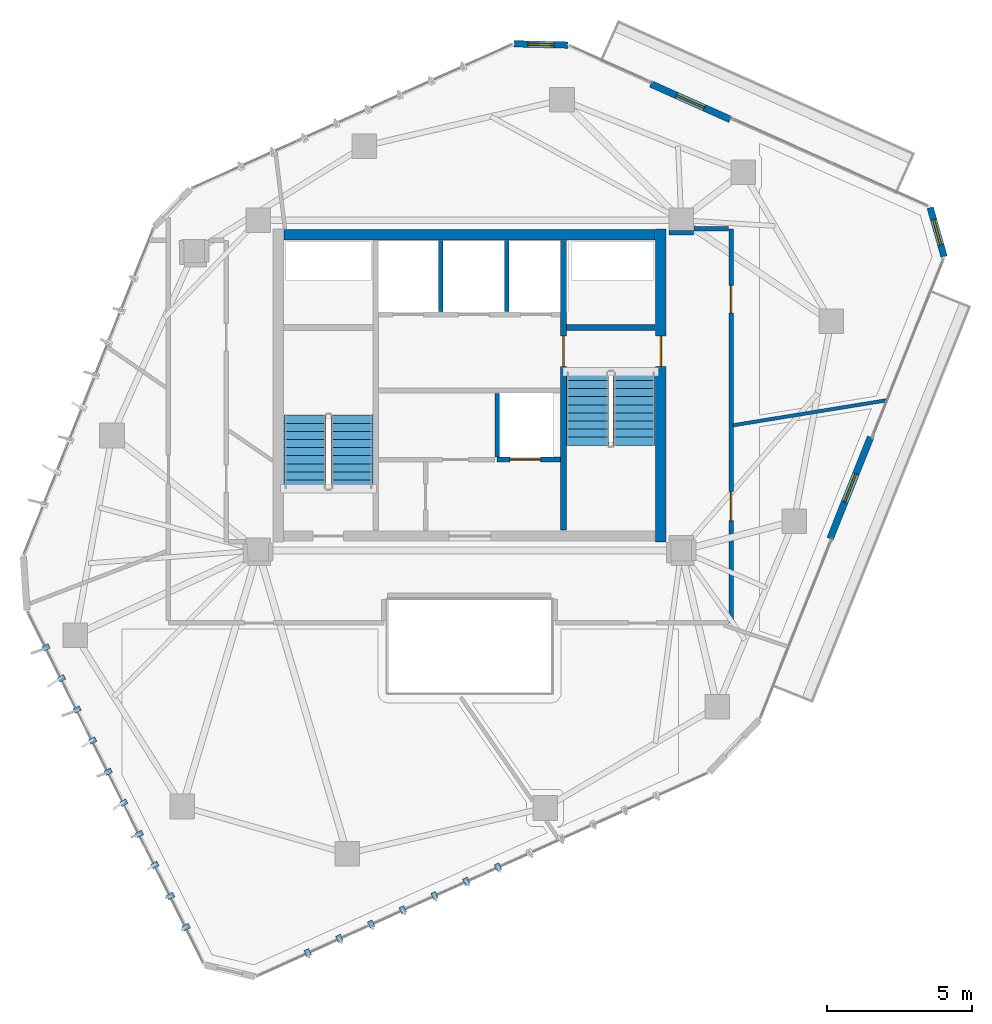
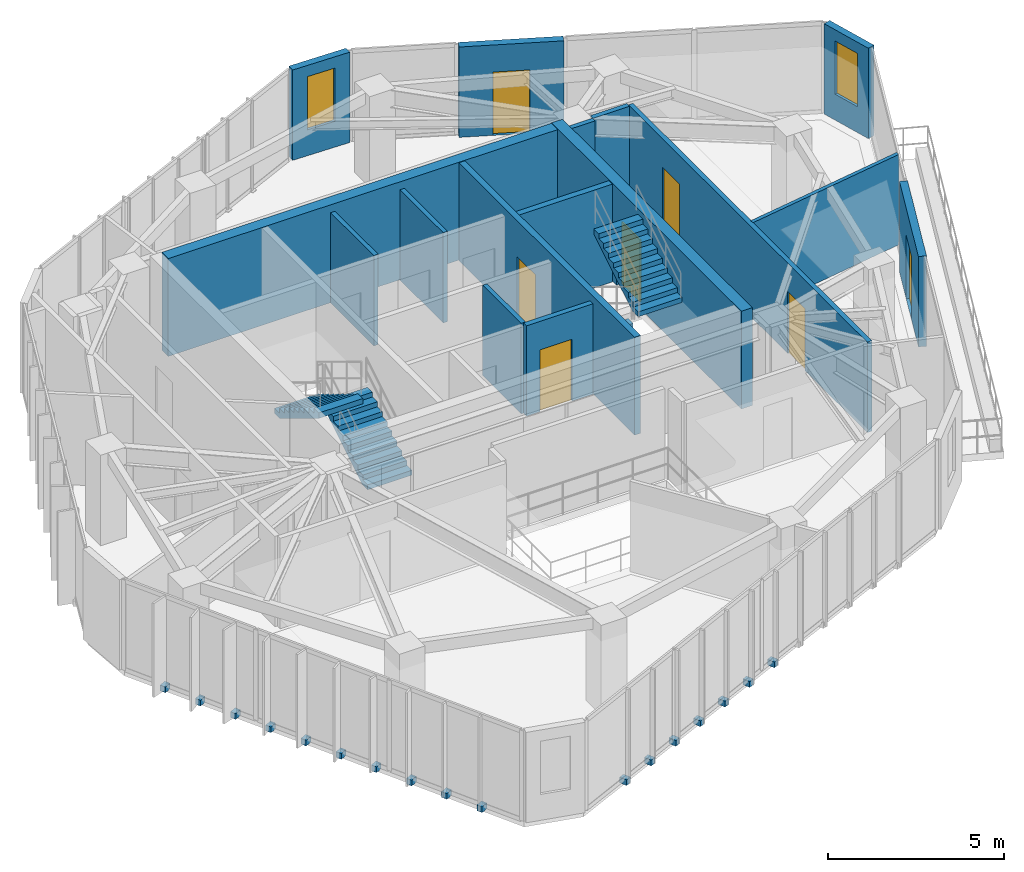
# One storey, part 18 of 21: 17 discrete accessories, 16 walls, 7 doors, 4 stair flights, 2 windows, 9 openings, 2 elements without a shape of their own.
"""IFC4 building model written with IfcOpenShell, lengths in metres."""

from ifc_helpers import new_model, si_unit, direction, frame, frame_2d, origin, origin_2d, place, context, subcontext, project, spatial, polyline, rectangle, outline, extrude, source, transform, mapped, material, layer, layer_set, type_object, type_shapes, element, fill, aggregate, save


model = new_model("IFC4")

# Units and contexts
model_context = context("Model", 3, precision=1e-05, world=origin(), true_north=direction((0.0, 1.0)))
body_context = subcontext(model_context, "Body", "Model", "MODEL_VIEW")
ifc_project = project(units=[si_unit("LENGTHUNIT", "METRE"), si_unit("AREAUNIT", "SQUARE_METRE"), si_unit("VOLUMEUNIT", "CUBIC_METRE"), si_unit("PLANEANGLEUNIT", "RADIAN"), si_unit("MASSUNIT", "GRAM", prefix="KILO")], contexts=[model_context])

# Site, building, storey
site_placement = place(None, origin())
site = spatial("IfcSite", under=ifc_project, at=site_placement, CompositionType="ELEMENT")
building_placement = place(site_placement, origin())
building = spatial("IfcBuilding", under=site, at=building_placement, Name="Talar Marvaseh", CompositionType="ELEMENT")
storey_placement = place(building_placement, frame((0.0, 0.0, 271.39990234375)))
storey = spatial("IfcBuildingStorey", under=building, at=storey_placement, Name="L72", CompositionType="ELEMENT", Elevation=271.39990234375)

# Wall, opening, window
ifc_material_1 = material(Name="Precast concrete C45/55", Category="concrete")
ifc_layer_1 = layer(ifc_material_1, 0.22509765625)
ifc_layer_set_1 = layer_set([ifc_layer_1], Name="Precast concrete C45/55")
wall_type_1 = type_object("IfcWallType", Name="Chamfered Hexagonal Corner Pier Wall Z4 225", PredefinedType="SOLIDWALL", material=ifc_layer_set_1)
wall_1_placement = place(storey_placement, frame((27.53271484375, 42.98583984375, 0.0), z_axis=(0.0, 0.0, 1.0), x_axis=(0.999710380532, -0.024065640573, 0.0)))
wall_1 = element("IfcWall", 1, at=wall_1_placement, inside=storey, type_object=wall_type_1, Name="L72 Chamfered Corner Limestone Pier 4", PredefinedType="SOLIDWALL", context=body_context, shape_type="SweptSolid", body=[
    extrude(rectangle(XDim=1.8564453125, YDim=0.22509765625, at=frame_2d((0.92822265625, 0.0))), origin(), (0.0, 0.0, 1.0), 3.14013671875),
])
opening_1_placement = place(wall_1_placement, frame((0.47802734375, 0.0, 0.89990234375)))
opening_1 = element("IfcOpeningElement", 2, at=opening_1_placement, cuts=wall_1, Name="Opening WN-CHM09", PredefinedType="OPENING", context=body_context, shape_type="SweptSolid", body=[
    extrude(rectangle(XDim=0.89990234375, YDim=1.85009765625, at=frame_2d((0.449951171875, 0.925048828125))), frame((0.0, 0.12255859375, 0.0), z_axis=(0.0, -1.0, 0.0), x_axis=(1.0, 0.0, 0.0)), (0.0, 0.0, 1.0), 0.2451171875),
])
ifc_material_2 = material(Name="Laminated Low-E Solar Glass", Category="glass")
window_type = type_object("IfcWindowType", Name="Zone 4 Chamfered Corner Slot Window 900x1850", PartitioningType="SINGLE_PANEL", PredefinedType="WINDOW", material=ifc_material_2)
shared_shape_1 = source(origin(), body_context, "Body", "SweptSolid", [
    extrude(rectangle(XDim=0.89990234375, YDim=1.85009765625, at=frame_2d((0.449951171875, 0.925048828125))), frame((0.0, 0.030029296875, 0.0), z_axis=(0.0, -1.0, 0.0), x_axis=(1.0, 0.0, 0.0)), (0.0, 0.0, 1.0), 0.06005859375),
])
type_shapes(window_type, [shared_shape_1])
window_1_placement = place(opening_1_placement, origin())
window_1 = element("IfcWindow", 3, at=window_1_placement, inside=storey, type_object=window_type, Name="L72 Chamfered Corner Slot Window", OverallHeight=1.85009765625, OverallWidth=0.89990234375, PartitioningType="SINGLE_PANEL", PredefinedType="WINDOW", context=body_context, shape_type="MappedRepresentation", body=[
    mapped(shared_shape_1, transform((0.0, 0.0, 0.0), x_axis=(1.0, 0.0, 0.0), y_axis=(0.0, 1.0, 0.0), z_axis=(0.0, 0.0, 1.0), scale=1.0)),
])
fill(opening_1, window_1)

wall_2_placement = place(storey_placement, frame((41.8916015625, 37.3310546875, 0.0), z_axis=(0.0, 0.0, 1.0), x_axis=(0.272739689478, -0.962087865937, 0.0)))
wall_2 = element("IfcWall", 4, at=wall_2_placement, inside=storey, type_object=wall_type_1, Name="L72 Chamfered Corner Limestone Pier 5", PredefinedType="SOLIDWALL", context=body_context, shape_type="SweptSolid", body=[
    extrude(rectangle(XDim=1.758056640625, YDim=0.22509765625, at=frame_2d((0.87890625, 0.0))), origin(), (0.0, 0.0, 1.0), 3.14013671875),
])
opening_2_placement = place(wall_2_placement, frame((0.428955078125, 0.0, 0.89990234375)))
opening_2 = element("IfcOpeningElement", 5, at=opening_2_placement, cuts=wall_2, Name="Opening WN-CHM09", PredefinedType="OPENING", context=body_context, shape_type="SweptSolid", body=[
    extrude(rectangle(XDim=0.89990234375, YDim=1.85009765625, at=frame_2d((0.449951171875, 0.925048828125))), frame((0.0, 0.12255859375, 0.0), z_axis=(0.0, -1.0, 0.0), x_axis=(1.0, 0.0, 0.0)), (0.0, 0.0, 1.0), 0.2451171875),
])
window_2_placement = place(opening_2_placement, origin())
window_2 = element("IfcWindow", 6, at=window_2_placement, inside=storey, type_object=window_type, Name="L72 Chamfered Corner Slot Window", OverallHeight=1.85009765625, OverallWidth=0.89990234375, PartitioningType="SINGLE_PANEL", PredefinedType="WINDOW", context=body_context, shape_type="MappedRepresentation", body=[
    mapped(shared_shape_1, transform((0.0, 0.0, 0.0), x_axis=(1.0, 0.0, 0.0), y_axis=(0.0, 1.0, 0.0), z_axis=(0.0, 0.0, 1.0), scale=1.0)),
])
fill(opening_2, window_2)

# Wall, openings, doors
ifc_material_3 = material(Name="Gypsum Board Partition Assembly")
ifc_layer_2 = layer(ifc_material_3, 0.155029296875)
ifc_layer_set_2 = layer_set([ifc_layer_2], Name="Gypsum Board Partition Assembly")
wall_type_2 = type_object("IfcWallType", Name="Corridor Fire-Rated Acoustic Partition 155", PredefinedType="PARTITIONING", material=ifc_layer_set_2)
wall_3_placement = place(storey_placement, frame((35.02001953125, 36.60009765625, 0.0), z_axis=(0.0, 0.0, 1.0), x_axis=(0.0, -1.0, 0.0)))
wall_3 = element("IfcWall", 7, at=wall_3_placement, inside=storey, type_object=wall_type_2, Name="L72 Interior Partition Wall", PredefinedType="PARTITIONING", context=body_context, shape_type="SweptSolid", body=[
    extrude(rectangle(XDim=13.60009765625, YDim=0.155029296875, at=frame_2d((6.800048828125, 0.0))), origin(), (0.0, 0.0, 1.0), 3.14013671875),
])
opening_3_placement = place(wall_3_placement, frame((9.0673828125, 0.0, 0.0)))
opening_3 = element("IfcOpeningElement", 8, at=opening_3_placement, cuts=wall_3, Name="Opening DR-RM100", PredefinedType="OPENING", context=body_context, shape_type="SweptSolid", body=[
    extrude(rectangle(XDim=1.0, YDim=2.14990234375, at=frame_2d((0.5, 1.074951171875))), frame((0.0, 0.08740234375, 0.0), z_axis=(0.0, -1.0, 0.0), x_axis=(1.0, 0.0, 0.0)), (0.0, 0.0, 1.0), 0.175048828125),
])
opening_4_placement = place(wall_3_placement, frame((1.9501953125, 0.0, 0.0)))
opening_4 = element("IfcOpeningElement", 9, at=opening_4_placement, cuts=wall_3, Name="Opening DR-WC095", PredefinedType="OPENING", context=body_context, shape_type="SweptSolid", body=[
    extrude(rectangle(XDim=0.949951171875, YDim=2.14990234375, at=frame_2d((0.47509765625, 1.074951171875))), frame((0.0, 0.08740234375, 0.0), z_axis=(0.0, -1.0, 0.0), x_axis=(1.0, 0.0, 0.0)), (0.0, 0.0, 1.0), 0.175048828125),
])
ifc_material_4 = material(Name="Acoustic Engineered Oak Timber", Category="wood")
door_type_1 = type_object("IfcDoorType", Name="Washroom and Service Room Door 950x2150", OperationType="NOTDEFINED", PredefinedType="DOOR", material=ifc_material_4)
shared_shape_2 = source(origin(), body_context, "Body", "SweptSolid", [
    extrude(rectangle(XDim=0.949951171875, YDim=2.14990234375, at=frame_2d((0.47509765625, 1.074951171875))), frame((0.0, 0.02490234375, 0.0), z_axis=(0.0, -1.0, 0.0), x_axis=(1.0, 0.0, 0.0)), (0.0, 0.0, 1.0), 0.050048828125),
])
type_shapes(door_type_1, [shared_shape_2])
door_1_placement = place(opening_4_placement, origin())
door_1 = element("IfcDoor", 10, at=door_1_placement, inside=storey, type_object=door_type_1, Name="L72 Scholars' Servery Pantry Door", OperationType="SINGLE_SWING_RIGHT", OverallHeight=2.14990234375, OverallWidth=0.949951171875, PredefinedType="DOOR", context=body_context, shape_type="MappedRepresentation", body=[
    mapped(shared_shape_2, transform((0.0, 0.0, 0.0), x_axis=(1.0, 0.0, 0.0), y_axis=(0.0, 1.0, 0.0), z_axis=(0.0, 0.0, 1.0), scale=1.0)),
])
fill(opening_4, door_1)
door_type_2 = type_object("IfcDoorType", Name="Corridor Fire-Rated Gallery Door 1000x2150", OperationType="NOTDEFINED", PredefinedType="DOOR", material=ifc_material_4)
shared_shape_3 = source(origin(), body_context, "Body", "SweptSolid", [
    extrude(rectangle(XDim=1.0, YDim=2.14990234375, at=frame_2d((0.5, 1.074951171875))), frame((0.0, 0.02490234375, 0.0), z_axis=(0.0, -1.0, 0.0), x_axis=(1.0, 0.0, 0.0)), (0.0, 0.0, 1.0), 0.050048828125),
])
type_shapes(door_type_2, [shared_shape_3])
door_2_placement = place(opening_3_placement, origin())
door_2 = element("IfcDoor", 11, at=door_2_placement, inside=storey, type_object=door_type_2, Name="L72 Artisan Craft Showroom Door", OperationType="SINGLE_SWING_LEFT", OverallHeight=2.14990234375, OverallWidth=1.0, PredefinedType="DOOR", context=body_context, shape_type="MappedRepresentation", body=[
    mapped(shared_shape_3, transform((0.0, 0.0, 0.0), x_axis=(1.0, 0.0, 0.0), y_axis=(0.0, 1.0, 0.0), z_axis=(0.0, 0.0, 1.0), scale=1.0)),
])
fill(opening_3, door_2)

# Walls
wall_4_placement = place(storey_placement, frame((32.8701171875, 36.464599609375, 0.0), z_axis=(0.0, 0.0, 1.0), x_axis=(0.999986873463, -0.005123758532, 0.0)))
element("IfcWall", 12, at=wall_4_placement, inside=storey, type_object=wall_type_2, Name="L72 Interior Partition Wall", PredefinedType="PARTITIONING", context=body_context, shape_type="SweptSolid", body=[
    extrude(rectangle(XDim=0.857666015625, YDim=0.155029296875, at=frame_2d((0.4287109375, 0.0))), origin(), (0.0, 0.0, 1.0), 3.14013671875),
])
wall_5_placement = place(storey_placement, frame((33.739990234375, 36.60009765625, 0.0), z_axis=(0.0, 0.0, 1.0), x_axis=(1.0, 0.0, 0.0)))
element("IfcWall", 13, at=wall_5_placement, inside=storey, type_object=wall_type_2, Name="L72 Interior Partition Wall", PredefinedType="PARTITIONING", context=body_context, shape_type="SweptSolid", body=[
    extrude(rectangle(XDim=1.196533203125, YDim=0.155029296875, at=frame_2d((0.59814453125, 0.0))), origin(), (0.0, 0.0, 1.0), 3.14013671875),
])
ifc_layer_3 = layer(ifc_material_3, 0.1201171875)
ifc_layer_set_3 = layer_set([ifc_layer_3], Name="Gypsum Board Partition Assembly")
wall_type_3 = type_object("IfcWallType", Name="Demountable Studio Room Partition 120", PredefinedType="PARTITIONING", material=ifc_layer_set_3)
wall_6_placement = place(storey_placement, frame((35.084228515625, 29.8203125, 0.0), z_axis=(0.0, 0.0, 1.0), x_axis=(0.987001566894, 0.1607106311, 0.0)))
element("IfcWall", 14, at=wall_6_placement, inside=storey, type_object=wall_type_3, Name="L72 Interior Partition Wall", PredefinedType="PARTITIONING", context=body_context, shape_type="SweptSolid", body=[
    extrude(rectangle(XDim=5.36865234375, YDim=0.1201171875, at=frame_2d((2.684326171875, 0.0))), origin(), (0.0, 0.0, 1.0), 3.14013671875),
])
ifc_layer_4 = layer(ifc_material_1, 0.14501953125)
ifc_layer_set_4 = layer_set([ifc_layer_4], Name="Precast concrete C45/55")
wall_type_4 = type_object("IfcWallType", Name="Fire-Rated Lift Divider Wall 145", PredefinedType="SOLIDWALL", material=ifc_layer_set_4)
for number, where, z_axis, x_axis, name in (
    (15, (25.0, 33.743408203125, 0.0), (0.0, 0.0, 1.0), (0.0, 1.0, 0.0), "L72 FFL-1/FFL-2 Divider"),
    (16, (27.280029296875, 33.743408203125, 0.0), (0.0, 0.0, 1.0), (0.0, 1.0, 0.0), "L72 FFL-2/SVL-1 Divider"),
):
    element("IfcWall", number, at=place(storey_placement, frame(where, z_axis=z_axis, x_axis=x_axis)), inside=storey, type_object=wall_type_4, Name=name, PredefinedType="SOLIDWALL", context=body_context, shape_type="SweptSolid", body=[
        extrude(rectangle(XDim=2.45654296875, YDim=0.14501953125, at=frame_2d((1.228271484375, 0.0))), origin(), (0.0, 0.0, 1.0), 3.14013671875),
    ])
wall_7_placement = place(storey_placement, frame((26.949951171875, 28.7333984375, 0.0), z_axis=(0.0, 0.0, 1.0), x_axis=(0.0, 1.0, 0.0)))
element("IfcWall", 17, at=wall_7_placement, inside=storey, type_object=wall_type_4, Name="L72 PL-H3 West Shaft Wall", PredefinedType="SOLIDWALL", context=body_context, shape_type="SweptSolid", body=[
    extrude(rectangle(XDim=2.193115234375, YDim=0.14501953125, at=frame_2d((1.0966796875, 0.0))), origin(), (0.0, 0.0, 1.0), 3.14013671875),
])

# Wall, opening, door
ifc_layer_5 = layer(ifc_material_1, 0.175048828125)
ifc_layer_set_5 = layer_set([ifc_layer_5], Name="Precast concrete C45/55")
wall_type_5 = type_object("IfcWallType", Name="Fire-Rated Lift Hoistway Enclosure Wall 175", PredefinedType="SOLIDWALL", material=ifc_layer_set_5)
wall_8_placement = place(storey_placement, frame((26.949951171875, 28.639892578125, 0.0), z_axis=(0.0, 0.0, 1.0), x_axis=(1.0, 0.0, 0.0)))
wall_8 = element("IfcWall", 18, at=wall_8_placement, inside=storey, type_object=wall_type_5, Name="L72 Sky Express Lift Front Wall", PredefinedType="SOLIDWALL", context=body_context, shape_type="SweptSolid", body=[
    extrude(rectangle(XDim=2.18994140625, YDim=0.175048828125, at=frame_2d((1.094970703125, 0.0))), origin(), (0.0, 0.0, 1.0), 3.14013671875),
])
opening_5_placement = place(wall_8_placement, frame((0.449951171875, 0.0, 0.0)))
opening_5 = element("IfcOpeningElement", 19, at=opening_5_placement, cuts=wall_8, Name="Opening LD-PLH3", PredefinedType="OPENING", context=body_context, shape_type="SweptSolid", body=[
    extrude(rectangle(XDim=1.050048828125, YDim=2.14990234375, at=frame_2d((0.52490234375, 1.074951171875))), frame((0.0, 0.09765625, 0.0), z_axis=(0.0, -1.0, 0.0), x_axis=(1.0, 0.0, 0.0)), (0.0, 0.0, 1.0), 0.195068359375),
])
ifc_material_5 = material(Name="Stainless Steel Grade 316", Category="steel")
door_type_3 = type_object("IfcDoorType", Name="Automatic Sliding Lift Landing Door 1050x2150", OperationType="NOTDEFINED", PredefinedType="DOOR", material=ifc_material_5)
shared_shape_4 = source(origin(), body_context, "Body", "SweptSolid", [
    extrude(rectangle(XDim=1.050048828125, YDim=2.14990234375, at=frame_2d((0.52490234375, 1.074951171875))), frame((0.0, 0.02490234375, 0.0), z_axis=(0.0, -1.0, 0.0), x_axis=(1.0, 0.0, 0.0)), (0.0, 0.0, 1.0), 0.050048828125),
])
type_shapes(door_type_3, [shared_shape_4])
door_3_placement = place(opening_5_placement, origin())
door_3 = element("IfcDoor", 20, at=door_3_placement, inside=storey, type_object=door_type_3, Name="L72 Lift PL-H3 Sliding Landing Door", OperationType="SLIDING_TO_LEFT", OverallHeight=2.14990234375, OverallWidth=1.050048828125, PredefinedType="DOOR", context=body_context, shape_type="MappedRepresentation", body=[
    mapped(shared_shape_4, transform((0.0, 0.0, 0.0), x_axis=(1.0, 0.0, 0.0), y_axis=(0.0, 1.0, 0.0), z_axis=(0.0, 0.0, 1.0), scale=1.0)),
])
fill(opening_5, door_3)

ifc_material_6 = material(Name="Concrete C50/60", Category="concrete")
ifc_layer_6 = layer(ifc_material_6, 0.199951171875)
ifc_layer_set_6 = layer_set([ifc_layer_6], Name="Concrete C50/60")
wall_type_6 = type_object("IfcWallType", Name="Stair Shaft Structural Concrete Shear Wall 200", PredefinedType="SHEAR", material=ifc_layer_set_6)
wall_9_placement = place(storey_placement, frame((29.239990234375, 26.199951171875, 0.0), z_axis=(0.0, 0.0, 1.0), x_axis=(0.0, 1.0, 0.0)))
wall_9 = element("IfcWall", 21, at=wall_9_placement, inside=storey, type_object=wall_type_6, Name="L72 Core East Stair Shear Wall", PredefinedType="SHEAR", context=body_context, shape_type="SweptSolid", body=[
    extrude(rectangle(XDim=10.0, YDim=0.199951171875, at=frame_2d((5.0, 0.0))), origin(), (0.0, 0.0, 1.0), 3.400146484375),
])
opening_6_placement = place(wall_9_placement, frame((5.64990234375, 0.0, 0.0)))
opening_6 = element("IfcOpeningElement", 22, at=opening_6_placement, cuts=wall_9, Name="Opening DR-ST105", PredefinedType="OPENING", context=body_context, shape_type="SweptSolid", body=[
    extrude(rectangle(XDim=1.050048828125, YDim=2.14990234375, at=frame_2d((0.52490234375, 1.074951171875))), frame((0.0, 0.10986328125, 0.0), z_axis=(0.0, -1.0, 0.0), x_axis=(1.0, 0.0, 0.0)), (0.0, 0.0, 1.0), 0.219970703125),
])
ifc_material_7 = material(Name="Fire-Rated Steel Door Leaf", Category="steel")
door_type_4 = type_object("IfcDoorType", Name="Protected Exit Stair Fire Door 1050x2150", OperationType="NOTDEFINED", PredefinedType="DOOR", material=ifc_material_7)
shared_shape_5 = source(origin(), body_context, "Body", "SweptSolid", [
    extrude(rectangle(XDim=1.050048828125, YDim=2.14990234375, at=frame_2d((0.52490234375, 1.074951171875))), frame((0.0, 0.02490234375, 0.0), z_axis=(0.0, -1.0, 0.0), x_axis=(1.0, 0.0, 0.0)), (0.0, 0.0, 1.0), 0.050048828125),
])
type_shapes(door_type_4, [shared_shape_5])
door_4_placement = place(opening_6_placement, origin())
door_4 = element("IfcDoor", 23, at=door_4_placement, inside=storey, type_object=door_type_4, Name="L72 Firefighting Lobby to Stair ST-2 Door", OperationType="SINGLE_SWING_LEFT", OverallHeight=2.14990234375, OverallWidth=1.050048828125, PredefinedType="DOOR", context=body_context, shape_type="MappedRepresentation", body=[
    mapped(shared_shape_5, transform((0.0, 0.0, 0.0), x_axis=(1.0, 0.0, 0.0), y_axis=(0.0, 1.0, 0.0), z_axis=(0.0, 0.0, 1.0), scale=1.0)),
])
fill(opening_6, door_4)

# Wall
wall_10_placement = place(storey_placement, frame((29.340087890625, 33.199951171875, 0.0), z_axis=(0.0, 0.0, 1.0), x_axis=(1.0, 0.0, 0.0)))
element("IfcWall", 24, at=wall_10_placement, inside=storey, type_object=wall_type_6, Name="L72 Stair ST-2 North Shear Wall", PredefinedType="SHEAR", context=body_context, shape_type="SweptSolid", body=[
    extrude(rectangle(XDim=3.059814453125, YDim=0.199951171875, at=frame_2d((1.52978515625, 0.0))), origin(), (0.0, 0.0, 1.0), 3.400146484375),
])

# Wall, opening, door
ifc_layer_7 = layer(ifc_material_1, 0.235107421875)
ifc_layer_set_7 = layer_set([ifc_layer_7], Name="Precast concrete C45/55")
wall_type_7 = type_object("IfcWallType", Name="Terrace Threshold Glazed Spandrel Wall 235", PredefinedType="SOLIDWALL", material=ifc_layer_set_7)
wall_11_placement = place(storey_placement, frame((32.25, 41.600830078125, 0.0), z_axis=(0.0, 0.0, 1.0), x_axis=(0.912869342402, -0.408251838578, 0.0)))
wall_11 = element("IfcWall", 25, at=wall_11_placement, inside=storey, type_object=wall_type_7, Name="L72 Terrace Threshold Wall", PredefinedType="SOLIDWALL", context=body_context, shape_type="SweptSolid", body=[
    extrude(rectangle(XDim=2.999755859375, YDim=0.235107421875, at=frame_2d((1.5, 0.0))), origin(), (0.0, 0.0, 1.0), 3.14013671875),
])
opening_7_placement = place(wall_11_placement, frame((0.97509765625, 0.0, 0.0)))
opening_7 = element("IfcOpeningElement", 26, at=opening_7_placement, cuts=wall_11, Name="Opening DR-TER10", PredefinedType="OPENING", context=body_context, shape_type="SweptSolid", body=[
    extrude(rectangle(XDim=1.050048828125, YDim=2.199951171875, at=frame_2d((0.52490234375, 1.10009765625))), frame((0.0, 0.12744140625, 0.0), z_axis=(0.0, -1.0, 0.0), x_axis=(1.0, 0.0, 0.0)), (0.0, 0.0, 1.0), 0.255126953125),
])
ifc_material_8 = material(Name="Architectural Aluminium", Category="aluminium")
door_type_5 = type_object("IfcDoorType", Name="External Terrace Weatherproof Glazed Door 1050x2200", OperationType="NOTDEFINED", PredefinedType="DOOR", material=ifc_material_8)
shared_shape_6 = source(origin(), body_context, "Body", "SweptSolid", [
    extrude(rectangle(XDim=1.050048828125, YDim=2.199951171875, at=frame_2d((0.52490234375, 1.10009765625))), frame((0.0, 0.02490234375, 0.0), z_axis=(0.0, -1.0, 0.0), x_axis=(1.0, 0.0, 0.0)), (0.0, 0.0, 1.0), 0.050048828125),
])
type_shapes(door_type_5, [shared_shape_6])
door_5_placement = place(opening_7_placement, origin())
door_5 = element("IfcDoor", 27, at=door_5_placement, inside=storey, type_object=door_type_5, Name="L72 External Planted Terrace Access Door", OperationType="SINGLE_SWING_LEFT", OverallHeight=2.199951171875, OverallWidth=1.050048828125, PredefinedType="DOOR", context=body_context, shape_type="MappedRepresentation", body=[
    mapped(shared_shape_6, transform((0.0, 0.0, 0.0), x_axis=(1.0, 0.0, 0.0), y_axis=(0.0, 1.0, 0.0), z_axis=(0.0, 0.0, 1.0), scale=1.0)),
])
fill(opening_7, door_5)

wall_12_placement = place(storey_placement, frame((39.834716796875, 29.4130859375, 0.0), z_axis=(0.0, 0.0, 1.0), x_axis=(-0.370743338665, -0.928735364264, 0.0)))
wall_12 = element("IfcWall", 28, at=wall_12_placement, inside=storey, type_object=wall_type_7, Name="L72 Terrace Threshold Wall", PredefinedType="SOLIDWALL", context=body_context, shape_type="SweptSolid", body=[
    extrude(rectangle(XDim=3.77197265625, YDim=0.235107421875, at=frame_2d((1.885986328125, 0.0))), origin(), (0.0, 0.0, 1.0), 3.14013671875),
])
opening_8_placement = place(wall_12_placement, frame((1.361083984375, 0.0, 0.0)))
opening_8 = element("IfcOpeningElement", 29, at=opening_8_placement, cuts=wall_12, Name="Opening DR-TER10", PredefinedType="OPENING", context=body_context, shape_type="SweptSolid", body=[
    extrude(rectangle(XDim=1.050048828125, YDim=2.199951171875, at=frame_2d((0.52490234375, 1.10009765625))), frame((0.0, 0.12744140625, 0.0), z_axis=(0.0, -1.0, 0.0), x_axis=(1.0, 0.0, 0.0)), (0.0, 0.0, 1.0), 0.255126953125),
])
door_6_placement = place(opening_8_placement, origin())
door_6 = element("IfcDoor", 30, at=door_6_placement, inside=storey, type_object=door_type_5, Name="L72 External Planted Terrace Access Door", OperationType="SINGLE_SWING_RIGHT", OverallHeight=2.199951171875, OverallWidth=1.050048828125, PredefinedType="DOOR", context=body_context, shape_type="MappedRepresentation", body=[
    mapped(shared_shape_6, transform((0.0, 0.0, 0.0), x_axis=(1.0, 0.0, 0.0), y_axis=(0.0, 1.0, 0.0), z_axis=(0.0, 0.0, 1.0), scale=1.0)),
])
fill(opening_8, door_6)

ifc_layer_8 = layer(ifc_material_6, 0.360107421875)
ifc_layer_set_8 = layer_set([ifc_layer_8], Name="Concrete C50/60")
wall_type_8 = type_object("IfcWallType", Name="Upper Core Reinforced Concrete Shear Wall 360", PredefinedType="SHEAR", material=ifc_layer_set_8)
wall_13_placement = place(storey_placement, frame((32.60009765625, 36.60009765625, 0.0), z_axis=(0.0, 0.0, 1.0), x_axis=(0.0, -1.0, 0.0)))
wall_13 = element("IfcWall", 31, at=wall_13_placement, inside=storey, type_object=wall_type_8, Name="L72 East Core Shear Wall", PredefinedType="SHEAR", context=body_context, shape_type="SweptSolid", body=[
    extrude(rectangle(XDim=10.800048828125, YDim=0.360107421875, at=frame_2d((5.39990234375, 0.0))), origin(), (0.0, 0.0, 1.0), 3.400146484375),
])
opening_9_placement = place(wall_13_placement, frame((3.699951171875, 0.0, 0.0)))
opening_9 = element("IfcOpeningElement", 32, at=opening_9_placement, cuts=wall_13, Name="Opening DR-ST105", PredefinedType="OPENING", context=body_context, shape_type="SweptSolid", body=[
    extrude(rectangle(XDim=1.050048828125, YDim=2.14990234375, at=frame_2d((0.52490234375, 1.074951171875))), frame((0.0, 0.18994140625, 0.0), z_axis=(0.0, -1.0, 0.0), x_axis=(1.0, 0.0, 0.0)), (0.0, 0.0, 1.0), 0.380126953125),
])
door_7_placement = place(opening_9_placement, origin())
door_7 = element("IfcDoor", 33, at=door_7_placement, inside=storey, type_object=door_type_4, Name="L72 Stair ST-2 Corridor Exit Door", OperationType="SINGLE_SWING_LEFT", OverallHeight=2.14990234375, OverallWidth=1.050048828125, PredefinedType="DOOR", context=body_context, shape_type="MappedRepresentation", body=[
    mapped(shared_shape_5, transform((0.0, 0.0, 0.0), x_axis=(1.0, 0.0, 0.0), y_axis=(0.0, 1.0, 0.0), z_axis=(0.0, 0.0, 1.0), scale=1.0)),
])
fill(opening_9, door_7)

# Wall
wall_14_placement = place(storey_placement, frame((19.60009765625, 36.39990234375, 0.0), z_axis=(0.0, 0.0, 1.0), x_axis=(1.0, 0.0, 0.0)))
element("IfcWall", 34, at=wall_14_placement, inside=storey, type_object=wall_type_8, Name="L72 North Core Shear Wall", PredefinedType="SHEAR", context=body_context, shape_type="SweptSolid", body=[
    extrude(rectangle(XDim=12.7998046875, YDim=0.360107421875, at=frame_2d((6.39990234375, 0.0))), origin(), (0.0, 0.0, 1.0), 3.400146484375),
])

# Stair, stair flights
ifc_material_9 = material(Name="Concrete C40/50", Category="concrete")
stair_type = type_object("IfcStairType", Name="Reinforced Concrete High-Rise Exit Stair Type C", PredefinedType="HALF_TURN_STAIR", material=ifc_material_9)
stair_1_placement = place(storey_placement, origin())
stair_1 = element("IfcStair", 35, at=stair_1_placement, inside=storey, type_object=stair_type, Name="L72 Tower West Core Exit Stair", PredefinedType="HALF_TURN_STAIR")
ifc_layer_9 = layer(ifc_material_9, 0.159912109375)
ifc_layer_set_9 = layer_set([ifc_layer_9], Name="Concrete C40/50")
stair_flight_type = type_object("IfcStairFlightType", Name="Reinforced Concrete Straight Stair Flight 160", PredefinedType="STRAIGHT", material=ifc_layer_set_9)
stair_flight_1_placement = place(storey_placement, frame((21.93505859375, 27.64990234375, 0.0), z_axis=(0.0, 0.0, 1.0), x_axis=(0.0, 1.0, 0.0)))
stair_flight_1 = element("IfcStairFlight", 36, at=stair_flight_1_placement, type_object=stair_flight_type, Name="ST-1 flight 1", NumberOfRisers=10, NumberOfTreads=9, PredefinedType="STRAIGHT", RiserHeight=0.17, TreadLength=0.28, context=body_context, shape_type="SweptSolid", body=[
    extrude(outline(polyline([(0.0, 0.0), (0.0, 0.169921875), (0.280029296875, 0.169921875), (0.280029296875, 0.340087890625), (0.56005859375, 0.340087890625), (0.56005859375, 0.510009765625), (0.840087890625, 0.510009765625), (0.840087890625, 0.679931640625), (1.1201171875, 0.679931640625), (1.1201171875, 0.85009765625), (1.39990234375, 0.85009765625), (1.39990234375, 1.02001953125), (1.679931640625, 1.02001953125), (1.679931640625, 1.18994140625), (1.9599609375, 1.18994140625), (1.9599609375, 1.360107421875), (2.239990234375, 1.360107421875), (2.239990234375, 1.530029296875), (2.52001953125, 1.530029296875), (2.52001953125, 1.699951171875), (2.52001953125, 1.343017578125), (0.30810546875, 0.0), (0.0, 0.0)])), frame((0.0, 0.72509765625, 0.0), z_axis=(0.0, -1.0, 0.0), x_axis=(1.0, 0.0, 0.0)), (0.0, 0.0, 1.0), 1.449951171875),
])
stair_flight_2_placement = place(storey_placement, frame((20.324951171875, 30.169921875, 1.7001953125), z_axis=(0.0, 0.0, 1.0), x_axis=(0.0, -1.0, 0.0)))
stair_flight_2 = element("IfcStairFlight", 37, at=stair_flight_2_placement, type_object=stair_flight_type, Name="ST-1 flight 2", NumberOfRisers=10, NumberOfTreads=9, PredefinedType="STRAIGHT", RiserHeight=0.17, TreadLength=0.28, context=body_context, shape_type="SweptSolid", body=[
    extrude(outline(polyline([(0.0, 0.0), (0.0, 0.169921875), (0.280029296875, 0.169921875), (0.280029296875, 0.340087890625), (0.56005859375, 0.340087890625), (0.56005859375, 0.510009765625), (0.840087890625, 0.510009765625), (0.840087890625, 0.679931640625), (1.1201171875, 0.679931640625), (1.1201171875, 0.85009765625), (1.39990234375, 0.85009765625), (1.39990234375, 1.02001953125), (1.679931640625, 1.02001953125), (1.679931640625, 1.18994140625), (1.9599609375, 1.18994140625), (1.9599609375, 1.360107421875), (2.239990234375, 1.360107421875), (2.239990234375, 1.530029296875), (2.52001953125, 1.530029296875), (2.52001953125, 1.699951171875), (2.52001953125, 1.343017578125), (0.30810546875, 0.0), (0.0, 0.0)])), frame((0.0, 0.72509765625, 0.0), z_axis=(0.0, -1.0, 0.0), x_axis=(1.0, 0.0, 0.0)), (0.0, 0.0, 1.0), 1.449951171875),
])
aggregate(stair_1, [stair_flight_1, stair_flight_2])

stair_2_placement = place(storey_placement, origin())
stair_2 = element("IfcStair", 38, at=stair_2_placement, inside=storey, type_object=stair_type, Name="L72 Tower East Core Exit Stair", PredefinedType="HALF_TURN_STAIR")
stair_flight_3_placement = place(storey_placement, frame((30.06494140625, 31.64990234375, 0.0), z_axis=(0.0, 0.0, 1.0), x_axis=(0.0, -1.0, 0.0)))
stair_flight_3 = element("IfcStairFlight", 39, at=stair_flight_3_placement, type_object=stair_flight_type, Name="ST-2 flight 1", NumberOfRisers=10, NumberOfTreads=9, PredefinedType="STRAIGHT", RiserHeight=0.17, TreadLength=0.28, context=body_context, shape_type="SweptSolid", body=[
    extrude(outline(polyline([(0.0, 0.0), (0.0, 0.169921875), (0.280029296875, 0.169921875), (0.280029296875, 0.340087890625), (0.56005859375, 0.340087890625), (0.56005859375, 0.510009765625), (0.840087890625, 0.510009765625), (0.840087890625, 0.679931640625), (1.1201171875, 0.679931640625), (1.1201171875, 0.85009765625), (1.39990234375, 0.85009765625), (1.39990234375, 1.02001953125), (1.679931640625, 1.02001953125), (1.679931640625, 1.18994140625), (1.9599609375, 1.18994140625), (1.9599609375, 1.360107421875), (2.239990234375, 1.360107421875), (2.239990234375, 1.530029296875), (2.52001953125, 1.530029296875), (2.52001953125, 1.699951171875), (2.52001953125, 1.343017578125), (0.30810546875, 0.0), (0.0, 0.0)])), frame((0.0, 0.72509765625, 0.0), z_axis=(0.0, -1.0, 0.0), x_axis=(1.0, 0.0, 0.0)), (0.0, 0.0, 1.0), 1.449951171875),
])
stair_flight_4_placement = place(storey_placement, frame((31.675048828125, 29.1298828125, 1.7001953125), z_axis=(0.0, 0.0, 1.0), x_axis=(0.0, 1.0, 0.0)))
stair_flight_4 = element("IfcStairFlight", 40, at=stair_flight_4_placement, type_object=stair_flight_type, Name="ST-2 flight 2", NumberOfRisers=10, NumberOfTreads=9, PredefinedType="STRAIGHT", RiserHeight=0.17, TreadLength=0.28, context=body_context, shape_type="SweptSolid", body=[
    extrude(outline(polyline([(0.0, 0.0), (0.0, 0.169921875), (0.280029296875, 0.169921875), (0.280029296875, 0.340087890625), (0.56005859375, 0.340087890625), (0.56005859375, 0.510009765625), (0.840087890625, 0.510009765625), (0.840087890625, 0.679931640625), (1.1201171875, 0.679931640625), (1.1201171875, 0.85009765625), (1.39990234375, 0.85009765625), (1.39990234375, 1.02001953125), (1.679931640625, 1.02001953125), (1.679931640625, 1.18994140625), (1.9599609375, 1.18994140625), (1.9599609375, 1.360107421875), (2.239990234375, 1.360107421875), (2.239990234375, 1.530029296875), (2.52001953125, 1.530029296875), (2.52001953125, 1.699951171875), (2.52001953125, 1.343017578125), (0.30810546875, 0.0), (0.0, 0.0)])), frame((0.0, 0.72509765625, 0.0), z_axis=(0.0, -1.0, 0.0), x_axis=(1.0, 0.0, 0.0)), (0.0, 0.0, 1.0), 1.449951171875),
])
aggregate(stair_2, [stair_flight_3, stair_flight_4])

# Discrete accessories
discrete_accessory_type = type_object("IfcDiscreteAccessoryType", Name="Stainless Slab-Edge Fin Mounting Bracket", PredefinedType="BRACKET", material=ifc_material_5)
shared_shape_7 = source(origin(), body_context, "Body", "SweptSolid", [
    extrude(rectangle(XDim=0.239990234375, YDim=0.179931640625, at=origin_2d()), origin(), (0.0, 0.0, 1.0), 0.199951171875),
])
type_shapes(discrete_accessory_type, [shared_shape_7])
for number, where, z_axis, x_axis, name in (
    (41, (16.215087890625, 12.50244140625, -0.1796875), (0.0, 0.0, 1.0), (-0.894154236839, -0.447759087839, 0.0), "L72 Vertical Fin Slab-Edge Bracket"),
    (42, (15.677978515625, 13.575439453125, -0.1796875), (0.0, 0.0, 1.0), (-0.894154236839, -0.447759087839, 0.0), "L72 Vertical Fin Slab-Edge Bracket"),
    (43, (15.140625, 14.6484375, -0.1796875), (0.0, 0.0, 1.0), (-0.894154236839, -0.447759087839, 0.0), "L72 Vertical Fin Slab-Edge Bracket"),
    (44, (14.603515625, 15.7216796875, -0.1796875), (0.0, 0.0, 1.0), (-0.894154236839, -0.447759087839, 0.0), "L72 Vertical Fin Slab-Edge Bracket"),
    (45, (14.066162109375, 16.794677734375, -0.1796875), (0.0, 0.0, 1.0), (-0.894154236839, -0.447759087839, 0.0), "L72 Vertical Fin Slab-Edge Bracket"),
    (46, (13.52880859375, 17.86767578125, -0.1796875), (0.0, 0.0, 1.0), (-0.894154236839, -0.447759087839, 0.0), "L72 Vertical Fin Slab-Edge Bracket"),
    (47, (12.99169921875, 18.940673828125, -0.1796875), (0.0, 0.0, 1.0), (-0.894154236839, -0.447759087839, 0.0), "L72 Vertical Fin Slab-Edge Bracket"),
    (48, (12.454345703125, 20.013671875, -0.1796875), (0.0, 0.0, 1.0), (-0.894154236839, -0.447759087839, 0.0), "L72 Vertical Fin Slab-Edge Bracket"),
    (49, (11.917236328125, 21.086669921875, -0.1796875), (0.0, 0.0, 1.0), (-0.894154236839, -0.447759087839, 0.0), "L72 Vertical Fin Slab-Edge Bracket"),
    (50, (11.3798828125, 22.15966796875, -0.1796875), (0.0, 0.0, 1.0), (-0.894154236839, -0.447759087839, 0.0), "L72 Vertical Fin Slab-Edge Bracket"),
    (51, (26.97509765625, 14.580078125, -0.1796875), (0.0, 0.0, 1.0), (0.410877978854, -0.911690345728, 0.0), "L72 Vertical Fin Slab-Edge Bracket"),
    (52, (25.881103515625, 14.0869140625, -0.1796875), (0.0, 0.0, 1.0), (0.410877978854, -0.911690345728, 0.0), "L72 Vertical Fin Slab-Edge Bracket"),
    (53, (24.787109375, 13.593994140625, -0.1796875), (0.0, 0.0, 1.0), (0.410877978854, -0.911690345728, 0.0), "L72 Vertical Fin Slab-Edge Bracket"),
    (54, (23.693115234375, 13.10107421875, -0.1796875), (0.0, 0.0, 1.0), (0.410877978854, -0.911690345728, 0.0), "L72 Vertical Fin Slab-Edge Bracket"),
    (55, (22.59912109375, 12.60791015625, -0.1796875), (0.0, 0.0, 1.0), (0.410877978854, -0.911690345728, 0.0), "L72 Vertical Fin Slab-Edge Bracket"),
    (56, (21.5048828125, 12.114990234375, -0.1796875), (0.0, 0.0, 1.0), (0.410877978854, -0.911690345728, 0.0), "L72 Vertical Fin Slab-Edge Bracket"),
    (57, (20.410888671875, 11.621826171875, -0.1796875), (0.0, 0.0, 1.0), (0.410877978854, -0.911690345728, 0.0), "L72 Vertical Fin Slab-Edge Bracket"),
):
    element("IfcDiscreteAccessory", number, at=place(storey_placement, frame(where, z_axis=z_axis, x_axis=x_axis)), inside=storey, type_object=discrete_accessory_type, Name=name, PredefinedType="BRACKET", context=body_context, shape_type="MappedRepresentation", body=[
        mapped(shared_shape_7, transform((0.0, 0.0, 0.0), x_axis=(1.0, 0.0, 0.0), y_axis=(0.0, 1.0, 0.0), z_axis=(0.0, 0.0, 1.0), scale=1.0)),
    ])

save(model, "model.ifc")
